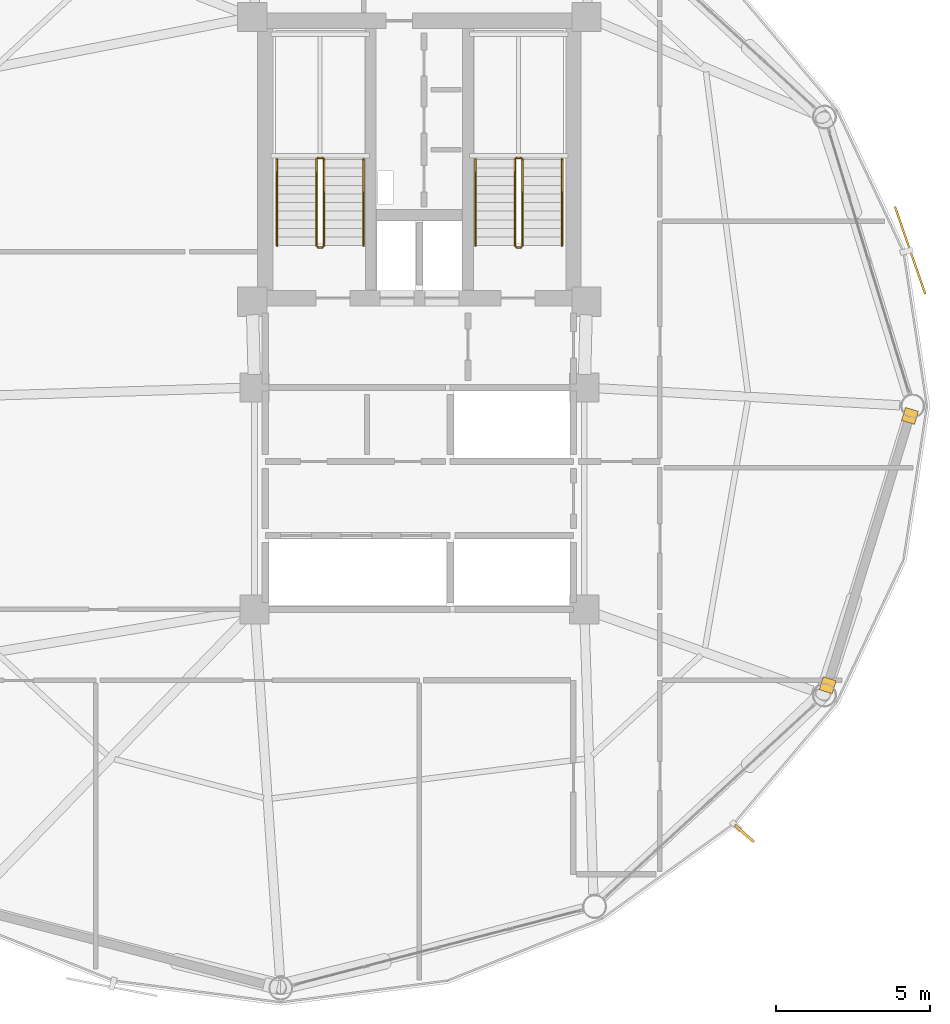
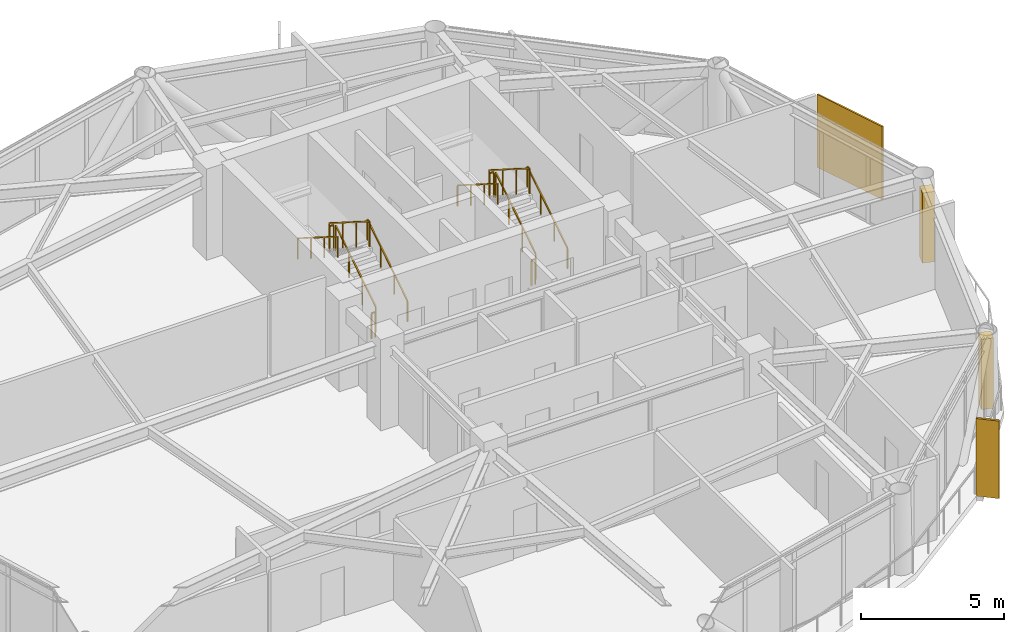
# One storey, part 25 of 26: 12 railings, 2 coverings, 2 shading devices.
"""IFC4 building model written with IfcOpenShell, lengths in metres."""

from ifc_helpers import new_model, si_unit, direction, frame, origin, origin_2d, place, context, subcontext, project, spatial, rectangle, extrude, source, transform, mapped, material, layer, layer_set, type_object, type_shapes, element, save


model = new_model("IFC4")

# Units and contexts
model_context = context("Model", 3, precision=1e-05, world=origin(), true_north=direction((0.0, 1.0)))
body_context = subcontext(model_context, "Body", "Model", "MODEL_VIEW")
ifc_project = project(units=[si_unit("LENGTHUNIT", "METRE"), si_unit("AREAUNIT", "SQUARE_METRE"), si_unit("VOLUMEUNIT", "CUBIC_METRE"), si_unit("PLANEANGLEUNIT", "RADIAN"), si_unit("MASSUNIT", "GRAM", prefix="KILO")], contexts=[model_context])

# Site, building, storey
site_placement = place(None, origin())
site = spatial("IfcSite", under=ifc_project, at=site_placement, CompositionType="ELEMENT")
building_placement = place(site_placement, origin())
building = spatial("IfcBuilding", under=site, at=building_placement, Name="Varnakorn Sky Granary", CompositionType="ELEMENT")
storey_placement = place(building_placement, frame((0.0, 0.0, 165.60009765625)))
storey = spatial("IfcBuildingStorey", under=building, at=storey_placement, Name="L41", CompositionType="ELEMENT", Elevation=165.60009765625)

# Railings
ifc_material_1 = material(Name="Brushed Stainless Steel 316", Category="steel")
railing_type_1 = type_object("IfcRailingType", Name="RL-STAIR-1100", PredefinedType="GUARDRAIL", material=ifc_material_1)
railing_1_placement = place(storey_placement, frame((-0.090087890625, 5.199951171875, 0.17724609375)))
element("IfcRailing", 1, at=railing_1_placement, inside=storey, type_object=railing_type_1, Name="L41 ST-1 stair guard 1", PredefinedType="GUARDRAIL", context=body_context, shape_type="SweptSolid", body=[
    extrude(rectangle(XDim=0.048095703125, YDim=0.048095703125, at=origin_2d()), frame((0.0, 0.0, 1.076171875), z_axis=(0.0, 0.844908973607, 0.534910110503), x_axis=(-1.0, 0.0, 0.0)), (0.0, 0.0, 1.0), 3.31396484375),
    extrude(rectangle(XDim=0.0419921875, YDim=0.0419921875, at=origin_2d()), origin(), (0.0, 0.0, 1.0), 1.048095703125),
    extrude(rectangle(XDim=0.0419921875, YDim=0.0419921875, at=origin_2d()), frame((0.0, 0.933349609375, 0.5908203125)), (0.0, 0.0, 1.0), 1.048095703125),
    extrude(rectangle(XDim=0.0419921875, YDim=0.0419921875, at=origin_2d()), frame((0.0, 1.86669921875, 1.181884765625)), (0.0, 0.0, 1.0), 1.048095703125),
    extrude(rectangle(XDim=0.0419921875, YDim=0.0419921875, at=origin_2d()), frame((0.0, 2.800048828125, 1.772705078125)), (0.0, 0.0, 1.0), 1.048095703125),
])
railing_2_placement = place(storey_placement, frame((-0.139892578125, 8.050048828125, 1.949951171875)))
element("IfcRailing", 2, at=railing_2_placement, inside=storey, type_object=railing_type_1, Name="L41 ST-1 stair guard 2", PredefinedType="GUARDRAIL", context=body_context, shape_type="SweptSolid", body=[
    extrude(rectangle(XDim=0.048095703125, YDim=0.048095703125, at=origin_2d()), frame((0.0, 0.0, 1.076171875), z_axis=(-1.0, 0.0, 0.0), x_axis=(0.0, -1.0, 0.0)), (0.0, 0.0, 1.0), 0.150146484375),
    extrude(rectangle(XDim=0.0419921875, YDim=0.0419921875, at=origin_2d()), origin(), (0.0, 0.0, 1.0), 1.048095703125),
    extrude(rectangle(XDim=0.0419921875, YDim=0.0419921875, at=origin_2d()), frame((-0.150146484375, 0.0, 0.0)), (0.0, 0.0, 1.0), 1.048095703125),
])
railing_3_placement = place(storey_placement, frame((-0.340087890625, 8.0, 2.127197265625)))
element("IfcRailing", 3, at=railing_3_placement, inside=storey, type_object=railing_type_1, Name="L41 ST-1 stair guard 3", PredefinedType="GUARDRAIL", context=body_context, shape_type="SweptSolid", body=[
    extrude(rectangle(XDim=0.048095703125, YDim=0.048095703125, at=origin_2d()), frame((0.0, 0.0, 1.076171875), z_axis=(0.0, -0.844908973607, 0.534910110503), x_axis=(1.0, 0.0, 0.0)), (0.0, 0.0, 1.0), 3.31396484375),
    extrude(rectangle(XDim=0.0419921875, YDim=0.0419921875, at=origin_2d()), origin(), (0.0, 0.0, 1.0), 1.048095703125),
    extrude(rectangle(XDim=0.0419921875, YDim=0.0419921875, at=origin_2d()), frame((0.0, -0.933349609375, 0.5908203125)), (0.0, 0.0, 1.0), 1.048095703125),
    extrude(rectangle(XDim=0.0419921875, YDim=0.0419921875, at=origin_2d()), frame((0.0, -1.86669921875, 1.181884765625)), (0.0, 0.0, 1.0), 1.048095703125),
    extrude(rectangle(XDim=0.0419921875, YDim=0.0419921875, at=origin_2d()), frame((0.0, -2.800048828125, 1.772705078125)), (0.0, 0.0, 1.0), 1.048095703125),
])
railing_4_placement = place(storey_placement, frame((-0.139892578125, 5.14990234375, 0.0)))
element("IfcRailing", 4, at=railing_4_placement, inside=storey, type_object=railing_type_1, Name="L41 ST-1 stair guard 4", PredefinedType="GUARDRAIL", context=body_context, shape_type="SweptSolid", body=[
    extrude(rectangle(XDim=0.048095703125, YDim=0.048095703125, at=origin_2d()), frame((0.0, 0.0, 1.076171875), z_axis=(-1.0, 0.0, 0.0), x_axis=(0.0, -1.0, 0.0)), (0.0, 0.0, 1.0), 0.150146484375),
    extrude(rectangle(XDim=0.0419921875, YDim=0.0419921875, at=origin_2d()), origin(), (0.0, 0.0, 1.0), 1.048095703125),
    extrude(rectangle(XDim=0.0419921875, YDim=0.0419921875, at=origin_2d()), frame((-0.150146484375, 0.0, 0.0)), (0.0, 0.0, 1.0), 1.048095703125),
])
railing_5_placement = place(storey_placement, frame((6.35009765625, 5.199951171875, 0.17724609375)))
element("IfcRailing", 5, at=railing_5_placement, inside=storey, type_object=railing_type_1, Name="L41 ST-2 stair guard 1", PredefinedType="GUARDRAIL", context=body_context, shape_type="SweptSolid", body=[
    extrude(rectangle(XDim=0.048095703125, YDim=0.048095703125, at=origin_2d()), frame((0.0, 0.0, 1.076171875), z_axis=(0.0, 0.844908973607, 0.534910110503), x_axis=(-1.0, 0.0, 0.0)), (0.0, 0.0, 1.0), 3.31396484375),
    extrude(rectangle(XDim=0.0419921875, YDim=0.0419921875, at=origin_2d()), origin(), (0.0, 0.0, 1.0), 1.048095703125),
    extrude(rectangle(XDim=0.0419921875, YDim=0.0419921875, at=origin_2d()), frame((0.0, 0.933349609375, 0.5908203125)), (0.0, 0.0, 1.0), 1.048095703125),
    extrude(rectangle(XDim=0.0419921875, YDim=0.0419921875, at=origin_2d()), frame((0.0, 1.86669921875, 1.181884765625)), (0.0, 0.0, 1.0), 1.048095703125),
    extrude(rectangle(XDim=0.0419921875, YDim=0.0419921875, at=origin_2d()), frame((0.0, 2.800048828125, 1.772705078125)), (0.0, 0.0, 1.0), 1.048095703125),
])
railing_6_placement = place(storey_placement, frame((6.300048828125, 8.050048828125, 1.949951171875)))
element("IfcRailing", 6, at=railing_6_placement, inside=storey, type_object=railing_type_1, Name="L41 ST-2 stair guard 2", PredefinedType="GUARDRAIL", context=body_context, shape_type="SweptSolid", body=[
    extrude(rectangle(XDim=0.048095703125, YDim=0.048095703125, at=origin_2d()), frame((0.0, 0.0, 1.076171875), z_axis=(-1.0, 0.0, 0.0), x_axis=(0.0, -1.0, 0.0)), (0.0, 0.0, 1.0), 0.150146484375),
    extrude(rectangle(XDim=0.0419921875, YDim=0.0419921875, at=origin_2d()), origin(), (0.0, 0.0, 1.0), 1.048095703125),
    extrude(rectangle(XDim=0.0419921875, YDim=0.0419921875, at=origin_2d()), frame((-0.150146484375, 0.0, 0.0)), (0.0, 0.0, 1.0), 1.048095703125),
])
railing_7_placement = place(storey_placement, frame((6.10009765625, 8.0, 2.127197265625)))
element("IfcRailing", 7, at=railing_7_placement, inside=storey, type_object=railing_type_1, Name="L41 ST-2 stair guard 3", PredefinedType="GUARDRAIL", context=body_context, shape_type="SweptSolid", body=[
    extrude(rectangle(XDim=0.048095703125, YDim=0.048095703125, at=origin_2d()), frame((0.0, 0.0, 1.076171875), z_axis=(0.0, -0.844908973607, 0.534910110503), x_axis=(1.0, 0.0, 0.0)), (0.0, 0.0, 1.0), 3.31396484375),
    extrude(rectangle(XDim=0.0419921875, YDim=0.0419921875, at=origin_2d()), origin(), (0.0, 0.0, 1.0), 1.048095703125),
    extrude(rectangle(XDim=0.0419921875, YDim=0.0419921875, at=origin_2d()), frame((0.0, -0.933349609375, 0.5908203125)), (0.0, 0.0, 1.0), 1.048095703125),
    extrude(rectangle(XDim=0.0419921875, YDim=0.0419921875, at=origin_2d()), frame((0.0, -1.86669921875, 1.181884765625)), (0.0, 0.0, 1.0), 1.048095703125),
    extrude(rectangle(XDim=0.0419921875, YDim=0.0419921875, at=origin_2d()), frame((0.0, -2.800048828125, 1.772705078125)), (0.0, 0.0, 1.0), 1.048095703125),
])
railing_8_placement = place(storey_placement, frame((6.300048828125, 5.14990234375, 0.0)))
element("IfcRailing", 8, at=railing_8_placement, inside=storey, type_object=railing_type_1, Name="L41 ST-2 stair guard 4", PredefinedType="GUARDRAIL", context=body_context, shape_type="SweptSolid", body=[
    extrude(rectangle(XDim=0.048095703125, YDim=0.048095703125, at=origin_2d()), frame((0.0, 0.0, 1.076171875), z_axis=(-1.0, 0.0, 0.0), x_axis=(0.0, -1.0, 0.0)), (0.0, 0.0, 1.0), 0.150146484375),
    extrude(rectangle(XDim=0.0419921875, YDim=0.0419921875, at=origin_2d()), origin(), (0.0, 0.0, 1.0), 1.048095703125),
    extrude(rectangle(XDim=0.0419921875, YDim=0.0419921875, at=origin_2d()), frame((-0.150146484375, 0.0, 0.0)), (0.0, 0.0, 1.0), 1.048095703125),
])
railing_type_2 = type_object("IfcRailingType", Name="RL-STAIR-920", PredefinedType="HANDRAIL", material=ifc_material_1)
railing_9_placement = place(storey_placement, frame((1.18994140625, 5.199951171875, 0.17724609375)))
element("IfcRailing", 9, at=railing_9_placement, inside=storey, type_object=railing_type_2, Name="L41 ST-1 stair handrail 1", PredefinedType="HANDRAIL", context=body_context, shape_type="SweptSolid", body=[
    extrude(rectangle(XDim=0.048095703125, YDim=0.048095703125, at=origin_2d()), frame((0.0, 0.0, 0.8759765625), z_axis=(0.0, 0.844908973607, 0.534910110503), x_axis=(-1.0, 0.0, 0.0)), (0.0, 0.0, 1.0), 3.31396484375),
    extrude(rectangle(XDim=0.0419921875, YDim=0.0419921875, at=origin_2d()), origin(), (0.0, 0.0, 1.0), 0.847900390625),
    extrude(rectangle(XDim=0.0419921875, YDim=0.0419921875, at=origin_2d()), frame((0.0, 0.933349609375, 0.5908203125)), (0.0, 0.0, 1.0), 0.847900390625),
    extrude(rectangle(XDim=0.0419921875, YDim=0.0419921875, at=origin_2d()), frame((0.0, 1.86669921875, 1.181884765625)), (0.0, 0.0, 1.0), 0.847900390625),
    extrude(rectangle(XDim=0.0419921875, YDim=0.0419921875, at=origin_2d()), frame((0.0, 2.800048828125, 1.772705078125)), (0.0, 0.0, 1.0), 0.847900390625),
])
railing_10_placement = place(storey_placement, frame((-1.6201171875, 8.0, 2.127197265625)))
element("IfcRailing", 10, at=railing_10_placement, inside=storey, type_object=railing_type_2, Name="L41 ST-1 stair handrail 2", PredefinedType="HANDRAIL", context=body_context, shape_type="SweptSolid", body=[
    extrude(rectangle(XDim=0.048095703125, YDim=0.048095703125, at=origin_2d()), frame((0.0, 0.0, 0.8759765625), z_axis=(0.0, -0.844908973607, 0.534910110503), x_axis=(1.0, 0.0, 0.0)), (0.0, 0.0, 1.0), 3.31396484375),
    extrude(rectangle(XDim=0.0419921875, YDim=0.0419921875, at=origin_2d()), origin(), (0.0, 0.0, 1.0), 0.847900390625),
    extrude(rectangle(XDim=0.0419921875, YDim=0.0419921875, at=origin_2d()), frame((0.0, -0.933349609375, 0.5908203125)), (0.0, 0.0, 1.0), 0.847900390625),
    extrude(rectangle(XDim=0.0419921875, YDim=0.0419921875, at=origin_2d()), frame((0.0, -1.86669921875, 1.181884765625)), (0.0, 0.0, 1.0), 0.847900390625),
    extrude(rectangle(XDim=0.0419921875, YDim=0.0419921875, at=origin_2d()), frame((0.0, -2.800048828125, 1.772705078125)), (0.0, 0.0, 1.0), 0.847900390625),
])
railing_11_placement = place(storey_placement, frame((7.6298828125, 5.199951171875, 0.17724609375)))
element("IfcRailing", 11, at=railing_11_placement, inside=storey, type_object=railing_type_2, Name="L41 ST-2 stair handrail 1", PredefinedType="HANDRAIL", context=body_context, shape_type="SweptSolid", body=[
    extrude(rectangle(XDim=0.048095703125, YDim=0.048095703125, at=origin_2d()), frame((0.0, 0.0, 0.8759765625), z_axis=(0.0, 0.844908973607, 0.534910110503), x_axis=(-1.0, 0.0, 0.0)), (0.0, 0.0, 1.0), 3.31396484375),
    extrude(rectangle(XDim=0.0419921875, YDim=0.0419921875, at=origin_2d()), origin(), (0.0, 0.0, 1.0), 0.847900390625),
    extrude(rectangle(XDim=0.0419921875, YDim=0.0419921875, at=origin_2d()), frame((0.0, 0.933349609375, 0.5908203125)), (0.0, 0.0, 1.0), 0.847900390625),
    extrude(rectangle(XDim=0.0419921875, YDim=0.0419921875, at=origin_2d()), frame((0.0, 1.86669921875, 1.181884765625)), (0.0, 0.0, 1.0), 0.847900390625),
    extrude(rectangle(XDim=0.0419921875, YDim=0.0419921875, at=origin_2d()), frame((0.0, 2.800048828125, 1.772705078125)), (0.0, 0.0, 1.0), 0.847900390625),
])
railing_12_placement = place(storey_placement, frame((4.820068359375, 8.0, 2.127197265625)))
element("IfcRailing", 12, at=railing_12_placement, inside=storey, type_object=railing_type_2, Name="L41 ST-2 stair handrail 2", PredefinedType="HANDRAIL", context=body_context, shape_type="SweptSolid", body=[
    extrude(rectangle(XDim=0.048095703125, YDim=0.048095703125, at=origin_2d()), frame((0.0, 0.0, 0.8759765625), z_axis=(0.0, -0.844908973607, 0.534910110503), x_axis=(1.0, 0.0, 0.0)), (0.0, 0.0, 1.0), 3.31396484375),
    extrude(rectangle(XDim=0.0419921875, YDim=0.0419921875, at=origin_2d()), origin(), (0.0, 0.0, 1.0), 0.847900390625),
    extrude(rectangle(XDim=0.0419921875, YDim=0.0419921875, at=origin_2d()), frame((0.0, -0.933349609375, 0.5908203125)), (0.0, 0.0, 1.0), 0.847900390625),
    extrude(rectangle(XDim=0.0419921875, YDim=0.0419921875, at=origin_2d()), frame((0.0, -1.86669921875, 1.181884765625)), (0.0, 0.0, 1.0), 0.847900390625),
    extrude(rectangle(XDim=0.0419921875, YDim=0.0419921875, at=origin_2d()), frame((0.0, -2.800048828125, 1.772705078125)), (0.0, 0.0, 1.0), 0.847900390625),
])

# Coverings
ifc_material_2 = material(Name="Anodised Bronze Aluminium Alloy 6063-T6", Category="aluminium")
ifc_layer = layer(ifc_material_2, 0.050048828125, Name="Anodised Bronze Aluminium Alloy 6063-T6")
ifc_layer_set = layer_set([ifc_layer], Name="Anodised Bronze Aluminium Alloy 6063-T6")
covering_type = type_object("IfcCoveringType", Name="CV-CLAD-50", PredefinedType="CLADDING", material=ifc_layer_set)
shared_shape_1 = source(origin(), body_context, "Body", "SweptSolid", [
    extrude(rectangle(XDim=0.43994140625, YDim=0.43994140625, at=origin_2d()), origin(), (0.0, 0.0, 1.0), 2.989990234375),
])
type_shapes(covering_type, [shared_shape_1])
for number, where, z_axis, x_axis, name in (
    (13, (18.918701171875, -0.3212890625, -0.02001953125), (0.0, 0.0, 1.0), (-0.292204793604, -0.956355769886, 0.0), "Bronze Corner Pilaster Closure L41-P12-A"),
    (14, (16.24951171875, -9.060302734375, -0.02001953125), (0.0, 0.0, 1.0), (-0.292204793604, -0.956355769886, 0.0), "Bronze Corner Pilaster Closure L41-P12-B"),
):
    element("IfcCovering", number, at=place(storey_placement, frame(where, z_axis=z_axis, x_axis=x_axis)), inside=storey, type_object=covering_type, Name=name, PredefinedType="CLADDING", context=body_context, shape_type="MappedRepresentation", body=[
        mapped(shared_shape_1, transform((0.0, 0.0, 0.0), x_axis=(1.0, 0.0, 0.0), y_axis=(0.0, 1.0, 0.0), z_axis=(0.0, 0.0, 1.0), scale=1.0)),
    ])

# Shading devices
shading_device_type_1 = type_object("IfcShadingDeviceType", Name="SH-SCR-02", PredefinedType="USERDEFINED", material=ifc_material_2)
shared_shape_2 = source(origin(), body_context, "Body", "SweptSolid", [
    extrude(rectangle(XDim=3.0, YDim=0.06494140625, at=origin_2d()), origin(), (0.0, 0.0, 1.0), 3.10009765625),
])
type_shapes(shading_device_type_1, [shared_shape_2])
shading_device_1_placement = place(storey_placement, frame((18.9228515625, 5.04833984375, -0.0400390625), z_axis=(0.0, 0.0, 1.0), x_axis=(-0.327792369563, 0.944749788281, 0.0)))
element("IfcShadingDevice", 15, at=shading_device_1_placement, inside=storey, type_object=shading_device_type_1, Name="Perforated Bronze Solar Screen Panel SCREEN L41-01", ObjectType="SCREEN", PredefinedType="USERDEFINED", context=body_context, shape_type="MappedRepresentation", body=[
    mapped(shared_shape_2, transform((0.0, 0.0, 0.0), x_axis=(1.0, 0.0, 0.0), y_axis=(0.0, 1.0, 0.0), z_axis=(0.0, 0.0, 1.0), scale=1.0)),
])
shading_device_type_2 = type_object("IfcShadingDeviceType", Name="SH-FIN-02", PredefinedType="USERDEFINED", material=ifc_material_2)
shared_shape_3 = source(origin(), body_context, "Body", "SweptSolid", [
    extrude(rectangle(XDim=0.0849609375, YDim=0.820068359375, at=origin_2d()), origin(), (0.0, 0.0, 1.0), 3.300048828125),
])
type_shapes(shading_device_type_2, [shared_shape_3])
shading_device_2_placement = place(storey_placement, frame((13.544677734375, -13.871826171875, -0.0400390625), z_axis=(0.0, 0.0, 1.0), x_axis=(0.661069428545, 0.750324736792, 0.0)))
element("IfcShadingDevice", 16, at=shading_device_2_placement, inside=storey, type_object=shading_device_type_2, Name="Bronze Solar-Tracking Vertical Blade FIN L41-11", ObjectType="FIN", PredefinedType="USERDEFINED", context=body_context, shape_type="MappedRepresentation", body=[
    mapped(shared_shape_3, transform((0.0, 0.0, 0.0), x_axis=(1.0, 0.0, 0.0), y_axis=(0.0, 1.0, 0.0), z_axis=(0.0, 0.0, 1.0), scale=1.0)),
])

save(model, "model.ifc")
